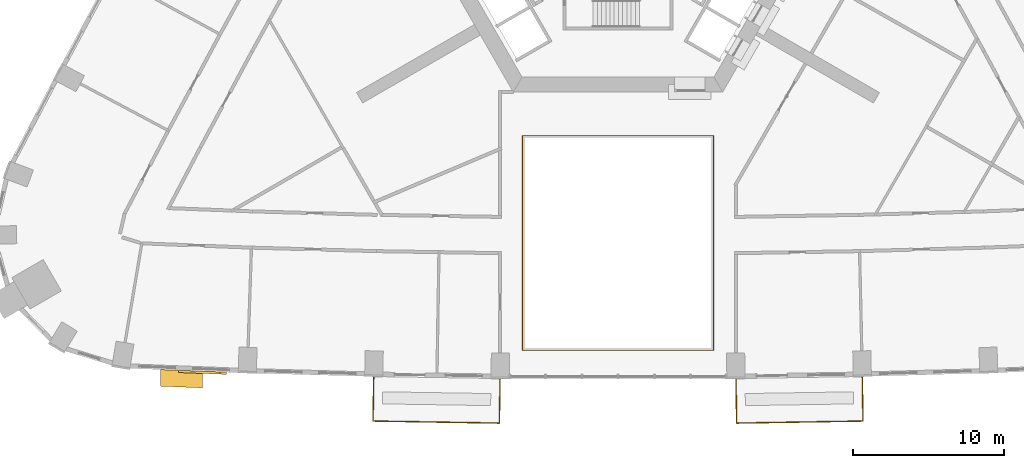
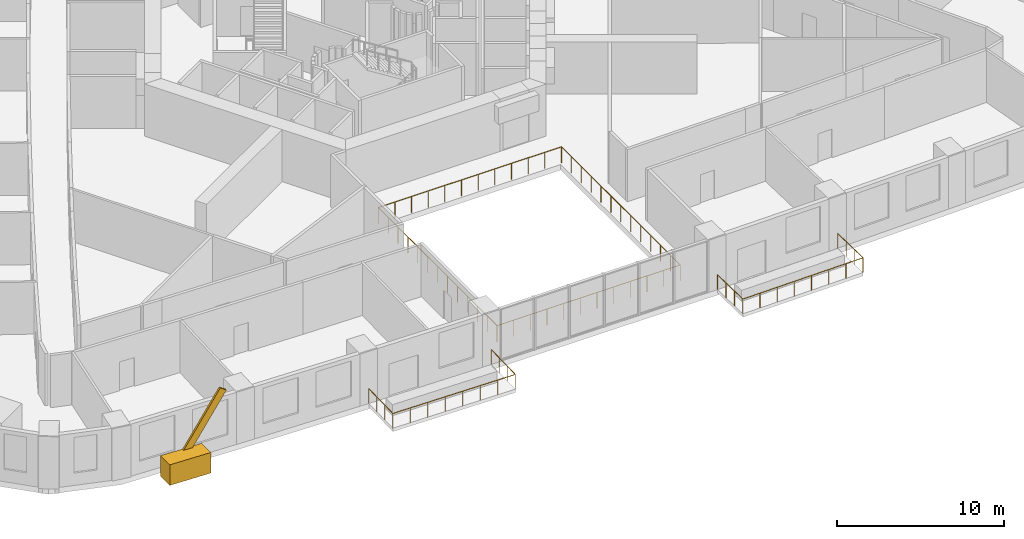
# One storey, part 14 of 15: 3 railings, 1 covering, 1 shading device.
"""IFC4 building model written with IfcOpenShell, lengths in metres."""

import ifcopenshell
import ifcopenshell.guid

model = None  # the IFC model being written
_history = None  # IfcOwnerHistory: only IFC2X3 demands one
_inside = {}  # id of a spatial element -> (the spatial element, [elements in it])
_under = {}  # id of a project, library or spatial element -> (it, [spatial elements below it])
_declared = {}  # id of a project -> (the project, [libraries it declares])
_typed = {}  # id of a type object -> (the type object, [elements of that type])
_made_of = {}  # id of a material, layer set ... -> (it, [elements and type objects made of it])


def new_model(schema):
    """Start an empty IFC model of exactly this schema.

    Asked for "IFC4X3", IfcOpenShell would pick the latest addendum, in which some entities
    have other attributes; the version numbers below select the first issue.
    IFC2X3 requires an IfcOwnerHistory on every rooted entity: one is made here for all.
    """
    global model, _history
    if schema == "IFC4X3":
        model = ifcopenshell.file(schema_version=(4, 3, 0, 0))
    else:
        model = ifcopenshell.file(schema=schema)
    _inside.clear()
    _under.clear()
    _declared.clear()
    _typed.clear()
    _made_of.clear()
    _history = None
    if model.schema == "IFC2X3":
        org = make("IfcOrganization", Name="unknown")
        user = make(
            "IfcPersonAndOrganization",
            ThePerson=make("IfcPerson", FamilyName="unknown"),
            TheOrganization=org,
        )
        app = make(
            "IfcApplication",
            ApplicationDeveloper=org,
            Version="unknown",
            ApplicationFullName="unknown",
            ApplicationIdentifier="unknown",
        )
        _history = make(
            "IfcOwnerHistory",
            OwningUser=user,
            OwningApplication=app,
            ChangeAction="ADDED",
            CreationDate=0,
        )
    return model


def make(cls, **values):
    """One entity of the class cls with the attributes given. An attribute that is None is left unset."""
    return model.create_entity(
        cls, **{name: value for name, value in values.items() if value is not None}
    )


def rooted(cls, **values):
    """An entity with a GlobalId (a new one), such as an element, a storey or a relation."""
    return make(cls, GlobalId=ifcopenshell.guid.new(), OwnerHistory=_history, **values)


def si_unit(unit_type, name, prefix=None):
    """IfcSIUnit, for example si_unit("LENGTHUNIT", "METRE", prefix="MILLI")."""
    return make("IfcSIUnit", UnitType=unit_type, Prefix=prefix, Name=name)


def assignment(units):
    """IfcUnitAssignment: the units of a project."""
    return None if units is None else make("IfcUnitAssignment", Units=units)


def point(xyz):
    """IfcCartesianPoint."""
    return None if xyz is None else make("IfcCartesianPoint", Coordinates=xyz)


def direction(xyz):
    """IfcDirection."""
    return None if xyz is None else make("IfcDirection", DirectionRatios=xyz)


def frame(location, z_axis=None, x_axis=None):
    """IfcAxis2Placement3D, a coordinate frame: its origin and axes. An axis left out is left unset."""
    return make(
        "IfcAxis2Placement3D",
        Location=point(location),
        Axis=direction(z_axis),
        RefDirection=direction(x_axis),
    )


def frame_2d(location, x_axis=None):
    """IfcAxis2Placement2D, a coordinate frame in the plane: its origin and x axis."""
    return make(
        "IfcAxis2Placement2D", Location=point(location), RefDirection=direction(x_axis)
    )


def origin():
    """The frame at (0, 0, 0) with its axes left unset."""
    return frame((0.0, 0.0, 0.0))


def origin_2d():
    """The frame at (0, 0) in the plane with its x axis left unset."""
    return frame_2d((0.0, 0.0))


def place(relative_to, where):
    """IfcLocalPlacement: puts the frame where relative to a parent placement (None: the world)."""
    return make(
        "IfcLocalPlacement", PlacementRelTo=relative_to, RelativePlacement=where
    )


def context(
    kind, dimensions, precision=None, world=None, true_north=None, identifier=None
):
    """IfcGeometricRepresentationContext, for example the 3D "Model" context."""
    return make(
        "IfcGeometricRepresentationContext",
        ContextIdentifier=identifier,
        ContextType=kind,
        CoordinateSpaceDimension=dimensions,
        Precision=precision,
        WorldCoordinateSystem=world,
        TrueNorth=true_north,
    )


def subcontext(parent, identifier, kind, view, scale=None):
    """IfcGeometricRepresentationSubContext, for example "Body" below "Model"."""
    return make(
        "IfcGeometricRepresentationSubContext",
        ContextIdentifier=identifier,
        ContextType=kind,
        ParentContext=parent,
        TargetScale=scale,
        TargetView=view,
    )


def project(units=None, contexts=None):
    """IfcProject with its units and contexts."""
    return rooted(
        "IfcProject",
        Name="project",
        RepresentationContexts=contexts,
        UnitsInContext=assignment(units),
    )


def spatial(cls, under=None, at=None, **own):
    """A site, building, storey or space (cls), placed at a placement, below another one or the project."""
    s = rooted(cls, ObjectPlacement=at, **own)
    if under is not None:
        _under.setdefault(under.id(), (under, []))[1].append(s)
    return s


def polyline(points):
    """IfcPolyline through the points."""
    return make("IfcPolyline", Points=[point(p) for p in points])


def profile(cls, at=None, kind="AREA", **sizes):
    """A parametric profile (cls). Its sizes go by their IFC names, for example OverallWidth=200.0."""
    return make(cls, ProfileType=kind, Position=at, **sizes)


def rectangle(**sizes):
    """IfcRectangleProfileDef."""
    return profile("IfcRectangleProfileDef", **sizes)


def circle(**sizes):
    """IfcCircleProfileDef."""
    return profile("IfcCircleProfileDef", **sizes)


def outline(outer, holes=None, kind="AREA"):
    """IfcArbitraryClosedProfileDef: a profile drawn as a closed curve; with holes, ...WithVoids."""
    if holes is None:
        return make("IfcArbitraryClosedProfileDef", ProfileType=kind, OuterCurve=outer)
    return make(
        "IfcArbitraryProfileDefWithVoids",
        ProfileType=kind,
        OuterCurve=outer,
        InnerCurves=holes,
    )


def extrude(swept, where, along, depth):
    """IfcExtrudedAreaSolid: the profile swept, set in the frame where, extruded along a direction by depth."""
    return make(
        "IfcExtrudedAreaSolid",
        SweptArea=swept,
        Position=where,
        ExtrudedDirection=direction(along),
        Depth=depth,
    )


def shape(context_of_items, identifier, shape_type, items):
    """IfcShapeRepresentation: the items that make up one representation, for example the "Body"."""
    return make(
        "IfcShapeRepresentation",
        ContextOfItems=context_of_items,
        RepresentationIdentifier=identifier,
        RepresentationType=shape_type,
        Items=items,
    )


def material(Name=None, Category=None):
    """IfcMaterial."""
    return make("IfcMaterial", Name=Name, Category=Category)


def material_profile(
    of_material, cross_section, Name=None, Category=None, Priority=None
):
    """IfcMaterialProfile: a cross section and its material."""
    return make(
        "IfcMaterialProfile",
        Name=Name,
        Material=of_material,
        Profile=cross_section,
        Priority=Priority,
        Category=Category,
    )


def profile_set(profiles, Name=None, composite=None):
    """IfcMaterialProfileSet."""
    return make(
        "IfcMaterialProfileSet",
        Name=Name,
        MaterialProfiles=profiles,
        CompositeProfile=composite,
    )


def made_of(thing, what):
    """Note that an element or type object is made of a material, layer set ...; save() writes the relation."""
    if what is not None:
        _made_of.setdefault(what.id(), (what, []))[1].append(thing)
    return thing


def type_object(cls, material=None, **own):
    """A type object (cls), such as IfcWallType, which elements share."""
    return made_of(rooted(cls, **own), material)


def element(
    cls,
    number,
    at=None,
    inside=None,
    cuts=None,
    type_object=None,
    material=None,
    context=None,
    identifier="Body",
    shape_type=None,
    held_by="IfcProductDefinitionShape",
    body=None,
    shapes=None,
    **own,
):
    """One element of the class cls, such as IfcWall. Its Tag is "e" and its number.

    at: its placement. inside: the storey or other place that contains it. cuts: it is an
    opening in that element (IfcRelVoidsElement). A single representation is given by context,
    identifier, shape_type and body (its items); several are given by shapes. held_by: the class
    of the entity that holds the representations. save() writes the other relations.
    """
    e = rooted(cls, Tag="e%d" % number, ObjectPlacement=at, **own)
    if body is not None:
        shapes = [shape(context, identifier, shape_type, body)]
    if shapes is not None:
        e.Representation = make(held_by, Representations=shapes)
    if inside is not None:
        _inside.setdefault(inside.id(), (inside, []))[1].append(e)
    if cuts is not None:
        rooted(
            "IfcRelVoidsElement", RelatingBuildingElement=cuts, RelatedOpeningElement=e
        )
    if type_object is not None:
        _typed.setdefault(type_object.id(), (type_object, []))[1].append(e)
    return made_of(e, material)


def aggregate(whole, parts):
    """IfcRelAggregates: a whole, such as a stair, and the parts it consists of."""
    return rooted("IfcRelAggregates", RelatingObject=whole, RelatedObjects=parts)


def save(model, path):
    """Write the relations noted so far, then the file.

    IfcRelAggregates (storeys below a building ...), IfcRelContainedInSpatialStructure (elements
    in a storey), IfcRelDefinesByType, IfcRelAssociatesMaterial and IfcRelDeclares: one each for
    every whole, place, type object, material and project.
    """
    for whole, parts in _under.values():
        aggregate(whole, parts)
    for where, things in _inside.values():
        rooted(
            "IfcRelContainedInSpatialStructure",
            RelatedElements=things,
            RelatingStructure=where,
        )
    for kind, things in _typed.values():
        rooted("IfcRelDefinesByType", RelatedObjects=things, RelatingType=kind)
    for what, things in _made_of.values():
        rooted("IfcRelAssociatesMaterial", RelatedObjects=things, RelatingMaterial=what)
    for by, libraries in _declared.values():
        rooted("IfcRelDeclares", RelatingContext=by, RelatedDefinitions=libraries)
    model.write(path)


model = new_model("IFC4")

# Units and contexts
model_context = context("Model", 3, precision=1e-05, world=origin(), true_north=direction((0.0, 1.0)))
body_context = subcontext(model_context, "Body", "Model", "MODEL_VIEW")
ifc_project = project(units=[si_unit("LENGTHUNIT", "METRE"), si_unit("AREAUNIT", "SQUARE_METRE"), si_unit("VOLUMEUNIT", "CUBIC_METRE"), si_unit("PLANEANGLEUNIT", "RADIAN"), si_unit("MASSUNIT", "GRAM", prefix="KILO")], contexts=[model_context])

# Site, building, storey
site_placement = place(None, origin())
site = spatial("IfcSite", under=ifc_project, at=site_placement, CompositionType="ELEMENT")
building_placement = place(site_placement, origin())
building = spatial("IfcBuilding", under=site, at=building_placement, Name="Entoto Arch Interchange Tower", CompositionType="ELEMENT")
storey_placement = place(building_placement, frame((0.0, 0.0, 39.199951171875)))
storey = spatial("IfcBuildingStorey", under=building, at=storey_placement, Name="L07", CompositionType="ELEMENT", Elevation=39.199951171875)

# Railing
ifc_material_1 = material(Name="Stainless steel 1.4301", Category="steel")
railing_type_1 = type_object("IfcRailingType", Name="ATRIUM GUARD 1200 STEEL AND GLASS", PredefinedType="GUARDRAIL", material=ifc_material_1)
railing_1_placement = place(storey_placement, frame((6.320068359375, -26.577880859375, 0.0)))
element("IfcRailing", 1, at=railing_1_placement, inside=storey, type_object=railing_type_1, Name="Atrium guard L07", PredefinedType="GUARDRAIL", context=body_context, shape_type="SweptSolid", body=[
    extrude(circle(Radius=0.02392578125, at=origin_2d()), frame((0.0, 0.0, 1.17578125), z_axis=(-1.0, 0.0, 0.0), x_axis=(0.0, -1.0, 0.0)), (0.0, 0.0, 1.0), 12.64013671875),
    extrude(circle(Radius=0.02392578125, at=origin_2d()), frame((-12.64013671875, 0.0, 1.17578125), z_axis=(0.0, 1.0, 0.0), x_axis=(-1.0, 0.0, 0.0)), (0.0, 0.0, 1.0), 14.197998046875),
    extrude(circle(Radius=0.02392578125, at=origin_2d()), frame((-12.64013671875, 14.197998046875, 1.17578125), z_axis=(1.0, 0.0, 0.0), x_axis=(0.0, 1.0, 0.0)), (0.0, 0.0, 1.0), 12.64013671875),
    extrude(circle(Radius=0.02392578125, at=origin_2d()), frame((0.0, 14.197998046875, 1.17578125), z_axis=(0.0, -1.0, 0.0), x_axis=(1.0, 0.0, 0.0)), (0.0, 0.0, 1.0), 14.197998046875),
    extrude(circle(Radius=0.02099609375, at=origin_2d()), origin(), (0.0, 0.0, 1.0), 1.15185546875),
    extrude(circle(Radius=0.02099609375, at=origin_2d()), frame((-1.149169921875, 0.0, 0.0)), (0.0, 0.0, 1.0), 1.15185546875),
    extrude(circle(Radius=0.02099609375, at=origin_2d()), frame((-2.298095703125, 0.0, 0.0)), (0.0, 0.0, 1.0), 1.15185546875),
    extrude(circle(Radius=0.02099609375, at=origin_2d()), frame((-3.447265625, 0.0, 0.0)), (0.0, 0.0, 1.0), 1.15185546875),
    extrude(circle(Radius=0.02099609375, at=origin_2d()), frame((-4.596435546875, 0.0, 0.0)), (0.0, 0.0, 1.0), 1.15185546875),
    extrude(circle(Radius=0.02099609375, at=origin_2d()), frame((-5.74560546875, 0.0, 0.0)), (0.0, 0.0, 1.0), 1.15185546875),
    extrude(circle(Radius=0.02099609375, at=origin_2d()), frame((-6.89453125, 0.0, 0.0)), (0.0, 0.0, 1.0), 1.15185546875),
    extrude(circle(Radius=0.02099609375, at=origin_2d()), frame((-8.043701171875, 0.0, 0.0)), (0.0, 0.0, 1.0), 1.15185546875),
    extrude(circle(Radius=0.02099609375, at=origin_2d()), frame((-9.19287109375, 0.0, 0.0)), (0.0, 0.0, 1.0), 1.15185546875),
    extrude(circle(Radius=0.02099609375, at=origin_2d()), frame((-10.342041015625, 0.0, 0.0)), (0.0, 0.0, 1.0), 1.15185546875),
    extrude(circle(Radius=0.02099609375, at=origin_2d()), frame((-11.490966796875, 0.0, 0.0)), (0.0, 0.0, 1.0), 1.15185546875),
    extrude(circle(Radius=0.02099609375, at=origin_2d()), frame((-12.64013671875, 0.0, 0.0)), (0.0, 0.0, 1.0), 1.15185546875),
    extrude(circle(Radius=0.02099609375, at=origin_2d()), frame((-12.64013671875, 1.18310546875, 0.0)), (0.0, 0.0, 1.0), 1.15185546875),
    extrude(circle(Radius=0.02099609375, at=origin_2d()), frame((-12.64013671875, 2.3662109375, 0.0)), (0.0, 0.0, 1.0), 1.15185546875),
    extrude(circle(Radius=0.02099609375, at=origin_2d()), frame((-12.64013671875, 3.549560546875, 0.0)), (0.0, 0.0, 1.0), 1.15185546875),
    extrude(circle(Radius=0.02099609375, at=origin_2d()), frame((-12.64013671875, 4.732666015625, 0.0)), (0.0, 0.0, 1.0), 1.15185546875),
    extrude(circle(Radius=0.02099609375, at=origin_2d()), frame((-12.64013671875, 5.915771484375, 0.0)), (0.0, 0.0, 1.0), 1.15185546875),
    extrude(circle(Radius=0.02099609375, at=origin_2d()), frame((-12.64013671875, 7.09912109375, 0.0)), (0.0, 0.0, 1.0), 1.15185546875),
    extrude(circle(Radius=0.02099609375, at=origin_2d()), frame((-12.64013671875, 8.2822265625, 0.0)), (0.0, 0.0, 1.0), 1.15185546875),
    extrude(circle(Radius=0.02099609375, at=origin_2d()), frame((-12.64013671875, 9.46533203125, 0.0)), (0.0, 0.0, 1.0), 1.15185546875),
    extrude(circle(Radius=0.02099609375, at=origin_2d()), frame((-12.64013671875, 10.6484375, 0.0)), (0.0, 0.0, 1.0), 1.15185546875),
    extrude(circle(Radius=0.02099609375, at=origin_2d()), frame((-12.64013671875, 11.83154296875, 0.0)), (0.0, 0.0, 1.0), 1.15185546875),
    extrude(circle(Radius=0.02099609375, at=origin_2d()), frame((-12.64013671875, 13.014892578125, 0.0)), (0.0, 0.0, 1.0), 1.15185546875),
    extrude(circle(Radius=0.02099609375, at=origin_2d()), frame((-12.64013671875, 14.197998046875, 0.0)), (0.0, 0.0, 1.0), 1.15185546875),
    extrude(circle(Radius=0.02099609375, at=origin_2d()), frame((-11.490966796875, 14.197998046875, 0.0)), (0.0, 0.0, 1.0), 1.15185546875),
    extrude(circle(Radius=0.02099609375, at=origin_2d()), frame((-10.342041015625, 14.197998046875, 0.0)), (0.0, 0.0, 1.0), 1.15185546875),
    extrude(circle(Radius=0.02099609375, at=origin_2d()), frame((-9.19287109375, 14.197998046875, 0.0)), (0.0, 0.0, 1.0), 1.15185546875),
    extrude(circle(Radius=0.02099609375, at=origin_2d()), frame((-8.043701171875, 14.197998046875, 0.0)), (0.0, 0.0, 1.0), 1.15185546875),
    extrude(circle(Radius=0.02099609375, at=origin_2d()), frame((-6.89453125, 14.197998046875, 0.0)), (0.0, 0.0, 1.0), 1.15185546875),
    extrude(circle(Radius=0.02099609375, at=origin_2d()), frame((-5.74560546875, 14.197998046875, 0.0)), (0.0, 0.0, 1.0), 1.15185546875),
    extrude(circle(Radius=0.02099609375, at=origin_2d()), frame((-4.596435546875, 14.197998046875, 0.0)), (0.0, 0.0, 1.0), 1.15185546875),
    extrude(circle(Radius=0.02099609375, at=origin_2d()), frame((-3.447265625, 14.197998046875, 0.0)), (0.0, 0.0, 1.0), 1.15185546875),
    extrude(circle(Radius=0.02099609375, at=origin_2d()), frame((-2.298095703125, 14.197998046875, 0.0)), (0.0, 0.0, 1.0), 1.15185546875),
    extrude(circle(Radius=0.02099609375, at=origin_2d()), frame((-1.149169921875, 14.197998046875, 0.0)), (0.0, 0.0, 1.0), 1.15185546875),
    extrude(circle(Radius=0.02099609375, at=origin_2d()), frame((0.0, 14.197998046875, 0.0)), (0.0, 0.0, 1.0), 1.15185546875),
    extrude(circle(Radius=0.02099609375, at=origin_2d()), frame((0.0, 13.014892578125, 0.0)), (0.0, 0.0, 1.0), 1.15185546875),
    extrude(circle(Radius=0.02099609375, at=origin_2d()), frame((0.0, 11.83154296875, 0.0)), (0.0, 0.0, 1.0), 1.15185546875),
    extrude(circle(Radius=0.02099609375, at=origin_2d()), frame((0.0, 10.6484375, 0.0)), (0.0, 0.0, 1.0), 1.15185546875),
    extrude(circle(Radius=0.02099609375, at=origin_2d()), frame((0.0, 9.46533203125, 0.0)), (0.0, 0.0, 1.0), 1.15185546875),
    extrude(circle(Radius=0.02099609375, at=origin_2d()), frame((0.0, 8.2822265625, 0.0)), (0.0, 0.0, 1.0), 1.15185546875),
    extrude(circle(Radius=0.02099609375, at=origin_2d()), frame((0.0, 7.09912109375, 0.0)), (0.0, 0.0, 1.0), 1.15185546875),
    extrude(circle(Radius=0.02099609375, at=origin_2d()), frame((0.0, 5.915771484375, 0.0)), (0.0, 0.0, 1.0), 1.15185546875),
    extrude(circle(Radius=0.02099609375, at=origin_2d()), frame((0.0, 4.732666015625, 0.0)), (0.0, 0.0, 1.0), 1.15185546875),
    extrude(circle(Radius=0.02099609375, at=origin_2d()), frame((0.0, 3.549560546875, 0.0)), (0.0, 0.0, 1.0), 1.15185546875),
    extrude(circle(Radius=0.02099609375, at=origin_2d()), frame((0.0, 2.3662109375, 0.0)), (0.0, 0.0, 1.0), 1.15185546875),
    extrude(circle(Radius=0.02099609375, at=origin_2d()), frame((0.0, 1.18310546875, 0.0)), (0.0, 0.0, 1.0), 1.15185546875),
])

# Shading device
ifc_material_2 = material(Name="Board-marked precast concrete C50/60", Category="concrete")
ifc_material_profile = material_profile(ifc_material_2, rectangle(XDim=0.14990234375, YDim=0.5, at=origin_2d()))
ifc_profile_set = profile_set([ifc_material_profile], Name="Board-marked precast concrete C50/60")
shading_device_type = type_object("IfcShadingDeviceType", Name="FOLD BAND PRECAST 150x500", PredefinedType="USERDEFINED", material=ifc_profile_set)
shading_device_placement = place(storey_placement, frame((-28.89208984375, -27.990966796875, 0.25), z_axis=(0.550442966062, -0.021685881, 0.834591075724), x_axis=(0.039366605071, 0.999224834762, 0.0)))
element("IfcShadingDevice", 2, at=shading_device_placement, inside=storey, type_object=shading_device_type, Name="Fold band L07", ObjectType="FOLD BAND", PredefinedType="USERDEFINED", context=body_context, shape_type="SweptSolid", body=[
    extrude(rectangle(XDim=0.14990234375, YDim=0.5, at=origin_2d()), origin(), (0.0, 0.0, 1.0), 5.0322265625),
])

# Railings
railing_type_2 = type_object("IfcRailingType", Name="GUARD 1100 STEEL AND GLASS", PredefinedType="GUARDRAIL", material=ifc_material_1)
railing_2_placement = place(storey_placement, frame((-16.169921875, -28.321044921875, 0.0)))
element("IfcRailing", 3, at=railing_2_placement, inside=storey, type_object=railing_type_2, Name="Balcony guard S-03 L07", PredefinedType="GUARDRAIL", context=body_context, shape_type="SweptSolid", body=[
    extrude(circle(Radius=0.02392578125, at=origin_2d()), frame((0.0, 0.0, 1.076171875), z_axis=(-0.016301731543, -0.999867117946, 0.0), x_axis=(0.999867117946, -0.016301731543, 0.0)), (0.0, 0.0, 1.0), 2.950439453125),
    extrude(circle(Radius=0.02392578125, at=origin_2d()), frame((-0.048095703125, -2.949951171875, 1.076171875), z_axis=(0.999866147789, -0.0163611279, 0.0), x_axis=(0.0163611279, 0.999866147789, 0.0)), (0.0, 0.0, 1.0), 8.371337890625),
    extrude(circle(Radius=0.02392578125, at=origin_2d()), frame((8.322021484375, -3.0869140625, 1.076171875), z_axis=(0.01621900346, 0.999868463312, 0.0), x_axis=(-0.999868463312, 0.01621900346, 0.0)), (0.0, 0.0, 1.0), 2.950439453125),
    extrude(circle(Radius=0.02099609375, at=origin_2d()), origin(), (0.0, 0.0, 1.0), 1.052001953125),
    extrude(circle(Radius=0.02099609375, at=origin_2d()), frame((-0.01611328125, -0.9833984375, 0.0)), (0.0, 0.0, 1.0), 1.052001953125),
    extrude(circle(Radius=0.02099609375, at=origin_2d()), frame((-0.031982421875, -1.966552734375, 0.0)), (0.0, 0.0, 1.0), 1.052001953125),
    extrude(circle(Radius=0.02099609375, at=origin_2d()), frame((-0.048095703125, -2.949951171875, 0.0)), (0.0, 0.0, 1.0), 1.052001953125),
    extrude(circle(Radius=0.02099609375, at=origin_2d()), frame((1.147705078125, -2.969482421875, 0.0)), (0.0, 0.0, 1.0), 1.052001953125),
    extrude(circle(Radius=0.02099609375, at=origin_2d()), frame((2.34326171875, -2.989013671875, 0.0)), (0.0, 0.0, 1.0), 1.052001953125),
    extrude(circle(Radius=0.02099609375, at=origin_2d()), frame((3.5390625, -3.008544921875, 0.0)), (0.0, 0.0, 1.0), 1.052001953125),
    extrude(circle(Radius=0.02099609375, at=origin_2d()), frame((4.73486328125, -3.0283203125, 0.0)), (0.0, 0.0, 1.0), 1.052001953125),
    extrude(circle(Radius=0.02099609375, at=origin_2d()), frame((5.9306640625, -3.0478515625, 0.0)), (0.0, 0.0, 1.0), 1.052001953125),
    extrude(circle(Radius=0.02099609375, at=origin_2d()), frame((7.126220703125, -3.0673828125, 0.0)), (0.0, 0.0, 1.0), 1.052001953125),
    extrude(circle(Radius=0.02099609375, at=origin_2d()), frame((8.322021484375, -3.0869140625, 0.0)), (0.0, 0.0, 1.0), 1.052001953125),
    extrude(circle(Radius=0.02099609375, at=origin_2d()), frame((8.337890625, -2.103515625, 0.0)), (0.0, 0.0, 1.0), 1.052001953125),
    extrude(circle(Radius=0.02099609375, at=origin_2d()), frame((8.35400390625, -1.120361328125, 0.0)), (0.0, 0.0, 1.0), 1.052001953125),
    extrude(circle(Radius=0.02099609375, at=origin_2d()), frame((8.369873046875, -0.136962890625, 0.0)), (0.0, 0.0, 1.0), 1.052001953125),
])
railing_3_placement = place(storey_placement, frame((7.800048828125, -28.4580078125, 0.0)))
element("IfcRailing", 4, at=railing_3_placement, inside=storey, type_object=railing_type_2, Name="Balcony guard S-05 L07", PredefinedType="GUARDRAIL", context=body_context, shape_type="SweptSolid", body=[
    extrude(circle(Radius=0.02392578125, at=origin_2d()), frame((0.0, 0.0, 1.076171875), z_axis=(0.01621900346, -0.999868463312, 0.0), x_axis=(0.999868463312, 0.01621900346, 0.0)), (0.0, 0.0, 1.0), 2.950439453125),
    extrude(circle(Radius=0.02392578125, at=origin_2d()), frame((0.0478515625, -2.949951171875, 1.076171875), z_axis=(0.999866147789, 0.0163611279, 0.0), x_axis=(-0.0163611279, 0.999866147789, 0.0)), (0.0, 0.0, 1.0), 8.371337890625),
    extrude(circle(Radius=0.02392578125, at=origin_2d()), frame((8.41796875, -2.81298828125, 1.076171875), z_axis=(-0.016301731543, 0.999867117946, 0.0), x_axis=(-0.999867117946, -0.016301731543, 0.0)), (0.0, 0.0, 1.0), 2.950439453125),
    extrude(circle(Radius=0.02099609375, at=origin_2d()), origin(), (0.0, 0.0, 1.0), 1.052001953125),
    extrude(circle(Radius=0.02099609375, at=origin_2d()), frame((0.015869140625, -0.9833984375, 0.0)), (0.0, 0.0, 1.0), 1.052001953125),
    extrude(circle(Radius=0.02099609375, at=origin_2d()), frame((0.031982421875, -1.966552734375, 0.0)), (0.0, 0.0, 1.0), 1.052001953125),
    extrude(circle(Radius=0.02099609375, at=origin_2d()), frame((0.0478515625, -2.949951171875, 0.0)), (0.0, 0.0, 1.0), 1.052001953125),
    extrude(circle(Radius=0.02099609375, at=origin_2d()), frame((1.24365234375, -2.930419921875, 0.0)), (0.0, 0.0, 1.0), 1.052001953125),
    extrude(circle(Radius=0.02099609375, at=origin_2d()), frame((2.439208984375, -2.910888671875, 0.0)), (0.0, 0.0, 1.0), 1.052001953125),
    extrude(circle(Radius=0.02099609375, at=origin_2d()), frame((3.635009765625, -2.891357421875, 0.0)), (0.0, 0.0, 1.0), 1.052001953125),
    extrude(circle(Radius=0.02099609375, at=origin_2d()), frame((4.830810546875, -2.87158203125, 0.0)), (0.0, 0.0, 1.0), 1.052001953125),
    extrude(circle(Radius=0.02099609375, at=origin_2d()), frame((6.026611328125, -2.85205078125, 0.0)), (0.0, 0.0, 1.0), 1.052001953125),
    extrude(circle(Radius=0.02099609375, at=origin_2d()), frame((7.22216796875, -2.83251953125, 0.0)), (0.0, 0.0, 1.0), 1.052001953125),
    extrude(circle(Radius=0.02099609375, at=origin_2d()), frame((8.41796875, -2.81298828125, 0.0)), (0.0, 0.0, 1.0), 1.052001953125),
    extrude(circle(Radius=0.02099609375, at=origin_2d()), frame((8.40185546875, -1.82958984375, 0.0)), (0.0, 0.0, 1.0), 1.052001953125),
    extrude(circle(Radius=0.02099609375, at=origin_2d()), frame((8.385986328125, -0.846435546875, 0.0)), (0.0, 0.0, 1.0), 1.052001953125),
    extrude(circle(Radius=0.02099609375, at=origin_2d()), frame((8.369873046875, 0.136962890625, 0.0)), (0.0, 0.0, 1.0), 1.052001953125),
])

# Covering
covering_type = type_object("IfcCoveringType", Name="PRECAST FRAME COURSE", PredefinedType="CLADDING", material=ifc_material_2)
covering_placement = place(storey_placement, frame((0.0, 0.0, -0.64990234375)))
element("IfcCovering", 5, at=covering_placement, inside=storey, type_object=covering_type, Name="Fold crease ribbon L07", PredefinedType="CLADDING", context=body_context, shape_type="SweptSolid", body=[
    extrude(outline(polyline([(-30.27392578125, -28.962890625), (-30.27392578125, -27.862060546875), (-27.50390625, -27.969970703125), (-27.50390625, -29.073974609375), (-30.27392578125, -28.962890625)])), origin(), (0.0, 0.0, 1.0), 1.5),
])

save(model, "model.ifc")
